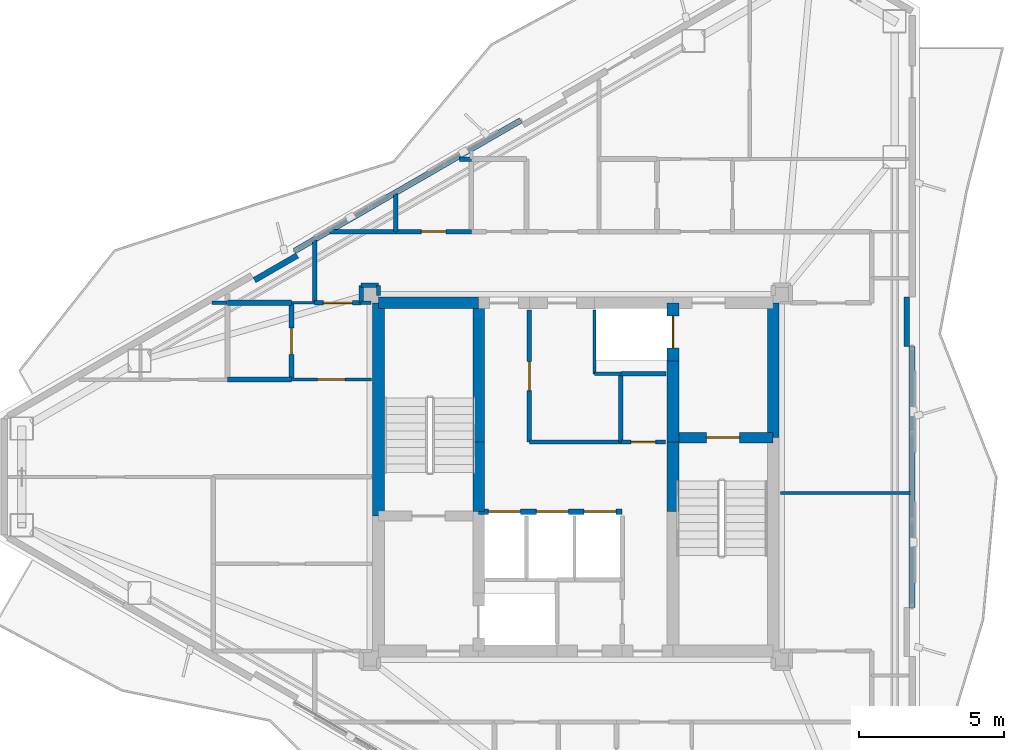
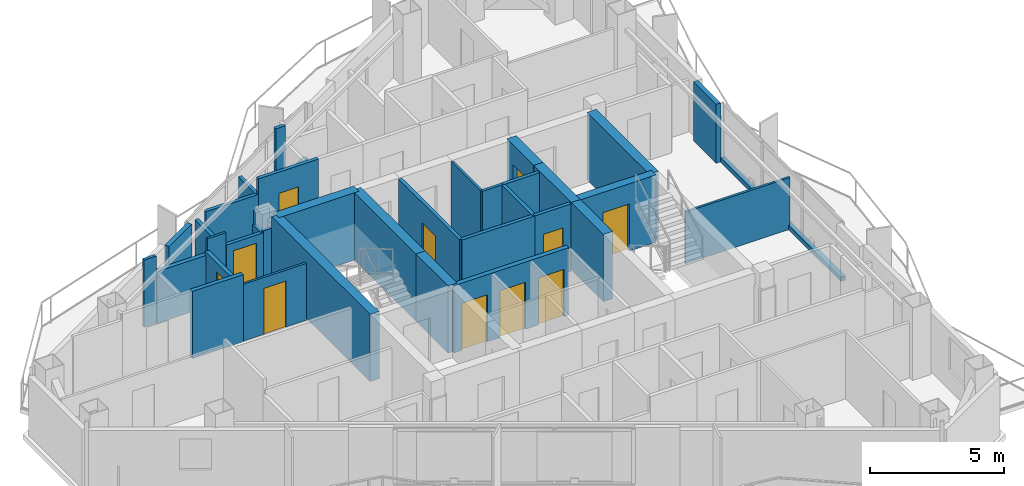
# One storey, part 18 of 22: 38 walls, 11 doors, 11 openings.
"""IFC4 building model written with IfcOpenShell, lengths in metres."""

from ifc_helpers import new_model, si_unit, direction, frame, frame_2d, origin, place, context, subcontext, project, spatial, rectangle, extrude, material, layer, layer_set, type_object, element, fill, save


model = new_model("IFC4")

# Units and contexts
model_context = context("Model", 3, precision=1e-05, world=origin(), true_north=direction((0.0, 1.0)))
body_context = subcontext(model_context, "Body", "Model", "MODEL_VIEW")
ifc_project = project(units=[si_unit("LENGTHUNIT", "METRE"), si_unit("AREAUNIT", "SQUARE_METRE"), si_unit("VOLUMEUNIT", "CUBIC_METRE"), si_unit("PLANEANGLEUNIT", "RADIAN"), si_unit("MASSUNIT", "GRAM", prefix="KILO")], contexts=[model_context])

# Site, building, storey
site_placement = place(None, origin())
site = spatial("IfcSite", under=ifc_project, at=site_placement, CompositionType="ELEMENT")
building_placement = place(site_placement, origin())
building = spatial("IfcBuilding", under=site, at=building_placement, Name="Mersakhor Tower and Convention Hall", CompositionType="ELEMENT")
storey_placement = place(building_placement, frame((0.0, 0.0, 198.60009765625)))
storey = spatial("IfcBuildingStorey", under=building, at=storey_placement, Name="L55", CompositionType="ELEMENT", Elevation=198.60009765625)

# Walls
ifc_material_1 = material(Name="Precast concrete C40/50", Category="concrete")
ifc_layer_1 = layer(ifc_material_1, 0.199951171875)
ifc_layer_set_1 = layer_set([ifc_layer_1], Name="Precast concrete C40/50")
wall_type_1 = type_object("IfcWallType", Name="WL-PAR-200", PredefinedType="PARAPET", material=ifc_layer_set_1)
wall_1_placement = place(storey_placement, frame((19.30908203125, 34.5361328125, 0.0), z_axis=(0.0, 0.0, 1.0), x_axis=(0.866020680503, 0.500008180874, 0.0)))
element("IfcWall", 1, at=wall_1_placement, inside=storey, type_object=wall_type_1, Name="L55 Curtain Wall Upstand Sill F1-B2", PredefinedType="PARAPET", context=body_context, shape_type="SweptSolid", body=[
    extrude(rectangle(XDim=8.998779296875, YDim=0.199951171875, at=frame_2d((4.49951171875, 0.0))), origin(), (0.0, 0.0, 1.0), 0.199951171875),
])
wall_2_placement = place(storey_placement, frame((17.927001953125, 33.5302734375, 0.0), z_axis=(0.0, 0.0, 1.0), x_axis=(0.86605165483, 0.499954529098, 0.0)))
element("IfcWall", 2, at=wall_2_placement, inside=storey, type_object=wall_type_1, Name="L55 Column Pier Cladding Wall F1-C1", PredefinedType="PARAPET", context=body_context, shape_type="SweptSolid", body=[
    extrude(rectangle(XDim=1.699951171875, YDim=0.199951171875, at=frame_2d((0.85009765625, 0.0))), origin(), (0.0, 0.0, 1.0), 2.68994140625),
])
wall_3_placement = place(storey_placement, frame((40.58837890625, 31.24951171875, 0.0), z_axis=(0.0, 0.0, 1.0), x_axis=(0.0, -1.0, 0.0)))
element("IfcWall", 3, at=wall_3_placement, inside=storey, type_object=wall_type_1, Name="L55 Curtain Wall Upstand Sill F2-B2", PredefinedType="PARAPET", context=body_context, shape_type="SweptSolid", body=[
    extrude(rectangle(XDim=8.9990234375, YDim=0.199951171875, at=frame_2d((4.49951171875, 0.0))), origin(), (0.0, 0.0, 1.0), 0.199951171875),
])
wall_4_placement = place(storey_placement, frame((40.408447265625, 32.949462890625, 0.0), z_axis=(0.0, 0.0, 1.0), x_axis=(0.0, -1.0, 0.0)))
element("IfcWall", 4, at=wall_4_placement, inside=storey, type_object=wall_type_1, Name="L55 Column Pier Cladding Wall F2-C1", PredefinedType="PARAPET", context=body_context, shape_type="SweptSolid", body=[
    extrude(rectangle(XDim=1.699951171875, YDim=0.199951171875, at=frame_2d((0.85009765625, 0.0))), origin(), (0.0, 0.0, 1.0), 2.68994140625),
])

# Wall, opening, door
ifc_material_2 = material(Name="Moisture-resistant acoustic drywall studwork", Category="other")
ifc_layer_2 = layer(ifc_material_2, 0.175048828125)
ifc_layer_set_2 = layer_set([ifc_layer_2], Name="Moisture-resistant acoustic drywall studwork")
wall_type_2 = type_object("IfcWallType", Name="WL-PLM-175", PredefinedType="PLUMBINGWALL", material=ifc_layer_set_2)
wall_5_placement = place(storey_placement, frame((19.199951171875, 30.10009765625, 0.0), z_axis=(0.0, 0.0, 1.0), x_axis=(0.0, 1.0, 0.0)))
wall_5 = element("IfcWall", 5, at=wall_5_placement, inside=storey, type_object=wall_type_2, Name="L55 Interior Partition Wall P-059", PredefinedType="PLUMBINGWALL", context=body_context, shape_type="SweptSolid", body=[
    extrude(rectangle(XDim=2.64990234375, YDim=0.175048828125, at=frame_2d((1.324951171875, 0.0))), origin(), (0.0, 0.0, 1.0), 2.518310546875),
])
opening_1_placement = place(wall_5_placement, frame((0.875, 0.0, 0.0)))
opening_1 = element("IfcOpeningElement", 6, at=opening_1_placement, cuts=wall_5, Name="Opening WD-01", PredefinedType="OPENING", context=body_context, shape_type="SweptSolid", body=[
    extrude(rectangle(XDim=0.89990234375, YDim=2.10009765625, at=frame_2d((0.449951171875, 1.050048828125))), frame((0.0, 0.097412109375, 0.0), z_axis=(0.0, -1.0, 0.0), x_axis=(1.0, 0.0, 0.0)), (0.0, 0.0, 1.0), 0.195068359375),
])
ifc_material_3 = material(Name="Solid-core hardwood leaf in painted steel frame", Category="steel")
door_type_1 = type_object("IfcDoorType", Name="DR-INT-WET-090x210", OperationType="NOTDEFINED", PredefinedType="DOOR", material=ifc_material_3)
door_1_placement = place(opening_1_placement, origin())
door_1 = element("IfcDoor", 7, at=door_1_placement, inside=storey, type_object=door_type_1, Name="L55 L55 Flat W4 Apartment Hall to L55 Flat W4 Bathroom Door", OperationType="SINGLE_SWING_LEFT", OverallHeight=2.10009765625, OverallWidth=0.89990234375, PredefinedType="DOOR", context=body_context, shape_type="SweptSolid", body=[
    extrude(rectangle(XDim=0.89990234375, YDim=2.10009765625, at=frame_2d((0.449951171875, 1.050048828125))), frame((0.0, 0.02490234375, 0.0), z_axis=(0.0, -1.0, 0.0), x_axis=(1.0, 0.0, 0.0)), (0.0, 0.0, 1.0), 0.050048828125),
])
fill(opening_1, door_1)

# Walls
wall_6_placement = place(storey_placement, frame((17.0, 32.75, 0.0), z_axis=(0.0, 0.0, 1.0), x_axis=(1.0, 0.0, 0.0)))
element("IfcWall", 8, at=wall_6_placement, inside=storey, type_object=wall_type_2, Name="L55 Interior Partition Wall P-076", PredefinedType="PLUMBINGWALL", context=body_context, shape_type="SweptSolid", body=[
    extrude(rectangle(XDim=2.199951171875, YDim=0.175048828125, at=frame_2d((1.10009765625, 0.0))), origin(), (0.0, 0.0, 1.0), 2.364990234375),
])
wall_7_placement = place(storey_placement, frame((19.199951171875, 30.10009765625, 0.0), z_axis=(0.0, 0.0, 1.0), x_axis=(-1.0, 0.0, 0.0)))
element("IfcWall", 9, at=wall_7_placement, inside=storey, type_object=wall_type_2, Name="L55 Interior Partition Wall P-077", PredefinedType="PLUMBINGWALL", context=body_context, shape_type="SweptSolid", body=[
    extrude(rectangle(XDim=2.199951171875, YDim=0.175048828125, at=frame_2d((1.10009765625, 0.0))), origin(), (0.0, 0.0, 1.0), 3.06982421875),
])
ifc_material_4 = material(Name="Lightweight gypsum partition", Category="other")
ifc_layer_3 = layer(ifc_material_4, 0.10009765625)
ifc_layer_set_3 = layer_set([ifc_layer_3], Name="Lightweight gypsum partition")
wall_type_3 = type_object("IfcWallType", Name="WL-PRT-100", PredefinedType="PARTITIONING", material=ifc_layer_set_3)
wall_8_placement = place(storey_placement, frame((29.64990234375, 30.300048828125, 0.0), z_axis=(0.0, 0.0, 1.0), x_axis=(0.0, 1.0, 0.0)))
element("IfcWall", 10, at=wall_8_placement, inside=storey, type_object=wall_type_3, Name="L55 Interior Partition Wall P-006", PredefinedType="PARTITIONING", context=body_context, shape_type="SweptSolid", body=[
    extrude(rectangle(XDim=2.199951171875, YDim=0.10009765625, at=frame_2d((1.10009765625, 0.0))), origin(), (0.0, 0.0, 1.0), 3.06982421875),
])
wall_9_placement = place(storey_placement, frame((19.199951171875, 32.75, 0.0), z_axis=(0.0, 0.0, 1.0), x_axis=(1.0, 0.0, 0.0)))
element("IfcWall", 11, at=wall_9_placement, inside=storey, type_object=wall_type_3, Name="L55 Interior Partition Wall P-056", PredefinedType="PARTITIONING", context=body_context, shape_type="SweptSolid", body=[
    extrude(rectangle(XDim=0.800048828125, YDim=0.10009765625, at=frame_2d((0.39990234375, 0.0))), origin(), (0.0, 0.0, 1.0), 3.06982421875),
])

# Wall, opening, door
wall_10_placement = place(storey_placement, frame((21.949951171875, 30.10009765625, 0.0), z_axis=(0.0, 0.0, 1.0), x_axis=(-1.0, 0.0, 0.0)))
wall_10 = element("IfcWall", 12, at=wall_10_placement, inside=storey, type_object=wall_type_3, Name="L55 Interior Partition Wall P-058", PredefinedType="PARTITIONING", context=body_context, shape_type="SweptSolid", body=[
    extrude(rectangle(XDim=2.75, YDim=0.10009765625, at=frame_2d((1.375, 0.0))), origin(), (0.0, 0.0, 1.0), 2.594970703125),
])
opening_2_placement = place(wall_10_placement, frame((0.89990234375, 0.0, 0.0)))
opening_2 = element("IfcOpeningElement", 13, at=opening_2_placement, cuts=wall_10, Name="Opening RD-01", PredefinedType="OPENING", context=body_context, shape_type="SweptSolid", body=[
    extrude(rectangle(XDim=0.949951171875, YDim=2.10009765625, at=frame_2d((0.47509765625, 1.050048828125))), frame((0.0, 0.06005859375, 0.0), z_axis=(0.0, -1.0, 0.0), x_axis=(1.0, 0.0, 0.0)), (0.0, 0.0, 1.0), 0.1201171875),
])
ifc_material_5 = material(Name="Solid-core hardwood leaf in painted steel frame", Category="steel")
door_type_2 = type_object("IfcDoorType", Name="DR-INT-RM-095x210", OperationType="NOTDEFINED", PredefinedType="DOOR", material=ifc_material_5)
door_2_placement = place(opening_2_placement, origin())
door_2 = element("IfcDoor", 14, at=door_2_placement, inside=storey, type_object=door_type_2, Name="L55 L55 Flat W4 Apartment Hall to L55 Flat W4 Living and Dining Room Door", OperationType="SINGLE_SWING_RIGHT", OverallHeight=2.10009765625, OverallWidth=0.949951171875, PredefinedType="DOOR", context=body_context, shape_type="SweptSolid", body=[
    extrude(rectangle(XDim=0.949951171875, YDim=2.10009765625, at=frame_2d((0.47509765625, 1.050048828125))), frame((0.0, 0.02490234375, 0.0), z_axis=(0.0, -1.0, 0.0), x_axis=(1.0, 0.0, 0.0)), (0.0, 0.0, 1.0), 0.050048828125),
])
fill(opening_2, door_2)

# Walls
wall_11_placement = place(storey_placement, frame((40.55029296875, 26.199951171875, 0.0), z_axis=(0.0, 0.0, 1.0), x_axis=(-1.0, 0.0, 0.0)))
element("IfcWall", 15, at=wall_11_placement, inside=storey, type_object=wall_type_3, Name="L55 Interior Partition Wall P-092", PredefinedType="PARTITIONING", context=body_context, shape_type="SweptSolid", body=[
    extrude(rectangle(XDim=4.500244140625, YDim=0.10009765625, at=frame_2d((2.25, 0.0))), origin(), (0.0, 0.0, 1.0), 2.364990234375),
])
ifc_material_6 = material(Name="Gypsum board acoustic partition", Category="other")
ifc_layer_4 = layer(ifc_material_6, 0.125)
ifc_layer_set_4 = layer_set([ifc_layer_4], Name="Gypsum board acoustic partition")
wall_type_4 = type_object("IfcWallType", Name="WL-PRT-125", PredefinedType="PARTITIONING", material=ifc_layer_set_4)
wall_12_placement = place(storey_placement, frame((30.550048828125, 30.300048828125, 0.0), z_axis=(0.0, 0.0, 1.0), x_axis=(-1.0, 0.0, 0.0)))
element("IfcWall", 16, at=wall_12_placement, inside=storey, type_object=wall_type_4, Name="L55 Interior Partition Wall P-005", PredefinedType="PARTITIONING", context=body_context, shape_type="SweptSolid", body=[
    extrude(rectangle(XDim=0.900146484375, YDim=0.125, at=frame_2d((0.4501953125, 0.0))), origin(), (0.0, 0.0, 1.0), 3.06982421875),
])
wall_13_placement = place(storey_placement, frame((21.60009765625, 32.75, 0.0), z_axis=(0.0, 0.0, 1.0), x_axis=(1.0, 0.0, 0.0)))
element("IfcWall", 17, at=wall_13_placement, inside=storey, type_object=wall_type_4, Name="L55 Interior Partition Wall P-057", PredefinedType="PARTITIONING", context=body_context, shape_type="SweptSolid", body=[
    extrude(rectangle(XDim=0.349853515625, YDim=0.125, at=frame_2d((0.1748046875, 0.0))), origin(), (0.0, 0.0, 1.0), 2.594970703125),
])
wall_14_placement = place(storey_placement, frame((16.463623046875, 32.75, 0.0), z_axis=(0.0, 0.0, 1.0), x_axis=(1.0, 0.0, 0.0)))
element("IfcWall", 18, at=wall_14_placement, inside=storey, type_object=wall_type_4, Name="L55 Interior Partition Wall P-081", PredefinedType="PARTITIONING", context=body_context, shape_type="SweptSolid", body=[
    extrude(rectangle(XDim=0.521484375, YDim=0.125, at=frame_2d((0.2607421875, 0.0))), origin(), (0.0, 0.0, 1.0), 3.06982421875),
])
ifc_material_7 = material(Name="Fire-rated gypsum board stud partition", Category="other")
ifc_layer_5 = layer(ifc_material_7, 0.14990234375)
ifc_layer_set_5 = layer_set([ifc_layer_5], Name="Fire-rated gypsum board stud partition")
wall_type_5 = type_object("IfcWallType", Name="WL-PRT-150", PredefinedType="PARTITIONING", material=ifc_layer_set_5)
wall_15_placement = place(storey_placement, frame((32.10009765625, 30.300048828125, 0.0), z_axis=(0.0, 0.0, 1.0), x_axis=(-1.0, 0.0, 0.0)))
element("IfcWall", 19, at=wall_15_placement, inside=storey, type_object=wall_type_5, Name="L55 Interior Partition Wall P-004", PredefinedType="PARTITIONING", context=body_context, shape_type="SweptSolid", body=[
    extrude(rectangle(XDim=1.550048828125, YDim=0.14990234375, at=frame_2d((0.77490234375, 0.0))), origin(), (0.0, 0.0, 1.0), 3.06982421875),
])

# Wall, opening, door
wall_16_placement = place(storey_placement, frame((27.39990234375, 32.5, 0.0), z_axis=(0.0, 0.0, 1.0), x_axis=(0.0, -1.0, 0.0)))
wall_16 = element("IfcWall", 20, at=wall_16_placement, inside=storey, type_object=wall_type_5, Name="L55 Interior Partition Wall P-013", PredefinedType="PARTITIONING", context=body_context, shape_type="SweptSolid", body=[
    extrude(rectangle(XDim=4.550048828125, YDim=0.14990234375, at=frame_2d((2.27490234375, 0.0))), origin(), (0.0, 0.0, 1.0), 3.06982421875),
])
opening_3_placement = place(wall_16_placement, frame((1.77490234375, 0.0, 0.0)))
opening_3 = element("IfcOpeningElement", 21, at=opening_3_placement, cuts=wall_16, Name="Opening FD-01", PredefinedType="OPENING", context=body_context, shape_type="SweptSolid", body=[
    extrude(rectangle(XDim=1.0, YDim=2.14990234375, at=frame_2d((0.5, 1.074951171875))), frame((0.0, 0.0849609375, 0.0), z_axis=(0.0, -1.0, 0.0), x_axis=(1.0, 0.0, 0.0)), (0.0, 0.0, 1.0), 0.169921875),
])
ifc_material_8 = material(Name="Fire-rated hardwood leaf and painted steel frame", Category="steel")
door_type_3 = type_object("IfcDoorType", Name="DR-INT-FLT-100x215", OperationType="NOTDEFINED", PredefinedType="DOOR", material=ifc_material_8)
door_3_placement = place(opening_3_placement, origin())
door_3 = element("IfcDoor", 22, at=door_3_placement, inside=storey, type_object=door_type_3, Name="L55 Central Passenger Lift Lobby to Quiet Core Study Room Door", OperationType="SINGLE_SWING_LEFT", OverallHeight=2.14990234375, OverallWidth=1.0, PredefinedType="DOOR", context=body_context, shape_type="SweptSolid", body=[
    extrude(rectangle(XDim=1.0, YDim=2.14990234375, at=frame_2d((0.5, 1.074951171875))), frame((0.0, 0.02490234375, 0.0), z_axis=(0.0, -1.0, 0.0), x_axis=(1.0, 0.0, 0.0)), (0.0, 0.0, 1.0), 0.050048828125),
])
fill(opening_3, door_3)

# Wall
wall_17_placement = place(storey_placement, frame((27.39990234375, 27.949951171875, 0.0), z_axis=(0.0, 0.0, 1.0), x_axis=(1.0, 0.0, 0.0)))
element("IfcWall", 23, at=wall_17_placement, inside=storey, type_object=wall_type_5, Name="L55 Interior Partition Wall P-014", PredefinedType="PARTITIONING", context=body_context, shape_type="SweptSolid", body=[
    extrude(rectangle(XDim=3.150146484375, YDim=0.14990234375, at=frame_2d((1.5751953125, 0.0))), origin(), (0.0, 0.0, 1.0), 3.06982421875),
])

# Wall, opening, door
wall_18_placement = place(storey_placement, frame((30.550048828125, 27.949951171875, 0.0), z_axis=(0.0, 0.0, 1.0), x_axis=(1.0, 0.0, 0.0)))
wall_18 = element("IfcWall", 24, at=wall_18_placement, inside=storey, type_object=wall_type_5, Name="L55 Interior Partition Wall P-015", PredefinedType="PARTITIONING", context=body_context, shape_type="SweptSolid", body=[
    extrude(rectangle(XDim=1.550048828125, YDim=0.14990234375, at=frame_2d((0.77490234375, 0.0))), origin(), (0.0, 0.0, 1.0), 3.06982421875),
])
opening_4_placement = place(wall_18_placement, frame((0.35009765625, 0.0, 0.0)))
opening_4 = element("IfcOpeningElement", 25, at=opening_4_placement, cuts=wall_18, Name="Opening SVD-01", PredefinedType="OPENING", context=body_context, shape_type="SweptSolid", body=[
    extrude(rectangle(XDim=0.85009765625, YDim=2.10009765625, at=frame_2d((0.425048828125, 1.050048828125))), frame((0.0, 0.0849609375, 0.0), z_axis=(0.0, -1.0, 0.0), x_axis=(1.0, 0.0, 0.0)), (0.0, 0.0, 1.0), 0.169921875),
])
ifc_material_9 = material(Name="Fire-rated hardwood leaf and painted steel frame", Category="steel")
door_type_4 = type_object("IfcDoorType", Name="DR-INT-SVC-085x210", OperationType="NOTDEFINED", PredefinedType="DOOR", material=ifc_material_9)
door_4_placement = place(opening_4_placement, origin())
door_4 = element("IfcDoor", 26, at=door_4_placement, inside=storey, type_object=door_type_4, Name="L55 Central Passenger Lift Lobby to Housekeeping Linen Store Room Door", OperationType="SINGLE_SWING_RIGHT", OverallHeight=2.10009765625, OverallWidth=0.85009765625, PredefinedType="DOOR", context=body_context, shape_type="SweptSolid", body=[
    extrude(rectangle(XDim=0.85009765625, YDim=2.10009765625, at=frame_2d((0.425048828125, 1.050048828125))), frame((0.0, 0.02490234375, 0.0), z_axis=(0.0, -1.0, 0.0), x_axis=(1.0, 0.0, 0.0)), (0.0, 0.0, 1.0), 0.050048828125),
])
fill(opening_4, door_4)

# Walls
wall_19_placement = place(storey_placement, frame((22.199951171875, 33.0, 0.0), z_axis=(0.0, 0.0, 1.0), x_axis=(0.0, 1.0, 0.0)))
element("IfcWall", 27, at=wall_19_placement, inside=storey, type_object=wall_type_5, Name="L55 Interior Partition Wall P-022", PredefinedType="PARTITIONING", context=body_context, shape_type="SweptSolid", body=[
    extrude(rectangle(XDim=0.35009765625, YDim=0.14990234375, at=frame_2d((0.175048828125, 0.0))), origin(), (0.0, 0.0, 1.0), 2.594970703125),
])
wall_20_placement = place(storey_placement, frame((22.199951171875, 33.35009765625, 0.0), z_axis=(0.0, 0.0, 1.0), x_axis=(-1.0, 0.0, 0.0)))
element("IfcWall", 28, at=wall_20_placement, inside=storey, type_object=wall_type_5, Name="L55 Interior Partition Wall P-023", PredefinedType="PARTITIONING", context=body_context, shape_type="SweptSolid", body=[
    extrude(rectangle(XDim=0.599853515625, YDim=0.14990234375, at=frame_2d((0.2998046875, 0.0))), origin(), (0.0, 0.0, 1.0), 3.06982421875),
])
wall_21_placement = place(storey_placement, frame((21.60009765625, 33.35009765625, 0.0), z_axis=(0.0, 0.0, 1.0), x_axis=(0.0, -1.0, 0.0)))
element("IfcWall", 29, at=wall_21_placement, inside=storey, type_object=wall_type_5, Name="L55 Interior Partition Wall P-024", PredefinedType="PARTITIONING", context=body_context, shape_type="SweptSolid", body=[
    extrude(rectangle(XDim=0.60009765625, YDim=0.14990234375, at=frame_2d((0.300048828125, 0.0))), origin(), (0.0, 0.0, 1.0), 2.518310546875),
])

# Wall, opening, door
wall_22_placement = place(storey_placement, frame((21.60009765625, 32.75, 0.0), z_axis=(0.0, 0.0, 1.0), x_axis=(-1.0, 0.0, 0.0)))
wall_22 = element("IfcWall", 30, at=wall_22_placement, inside=storey, type_object=wall_type_5, Name="L55 Interior Partition Wall P-025", PredefinedType="PARTITIONING", context=body_context, shape_type="SweptSolid", body=[
    extrude(rectangle(XDim=1.60009765625, YDim=0.14990234375, at=frame_2d((0.800048828125, 0.0))), origin(), (0.0, 0.0, 1.0), 2.518310546875),
])
opening_5_placement = place(wall_22_placement, frame((0.300048828125, 0.0, 0.0)))
opening_5 = element("IfcOpeningElement", 31, at=opening_5_placement, cuts=wall_22, Name="Opening FD-01", PredefinedType="OPENING", context=body_context, shape_type="SweptSolid", body=[
    extrude(rectangle(XDim=1.0, YDim=2.14990234375, at=frame_2d((0.5, 1.074951171875))), frame((0.0, 0.0849609375, 0.0), z_axis=(0.0, -1.0, 0.0), x_axis=(1.0, 0.0, 0.0)), (0.0, 0.0, 1.0), 0.169921875),
])
door_5_placement = place(opening_5_placement, origin())
door_5 = element("IfcDoor", 32, at=door_5_placement, inside=storey, type_object=door_type_3, Name="L55 Apartment Entrance Door (Residential North Gallery Corridor to L55 Flat W4 Apartment Hall)", OperationType="SINGLE_SWING_LEFT", OverallHeight=2.14990234375, OverallWidth=1.0, PredefinedType="DOOR", context=body_context, shape_type="SweptSolid", body=[
    extrude(rectangle(XDim=1.0, YDim=2.14990234375, at=frame_2d((0.5, 1.074951171875))), frame((0.0, 0.02490234375, 0.0), z_axis=(0.0, -1.0, 0.0), x_axis=(1.0, 0.0, 0.0)), (0.0, 0.0, 1.0), 0.050048828125),
])
fill(opening_5, door_5)

# Walls
wall_23_placement = place(storey_placement, frame((20.0, 32.75, 0.0), z_axis=(0.0, 0.0, 1.0), x_axis=(0.0, 1.0, 0.0)))
element("IfcWall", 33, at=wall_23_placement, inside=storey, type_object=wall_type_5, Name="L55 Interior Partition Wall P-026", PredefinedType="PARTITIONING", context=body_context, shape_type="SweptSolid", body=[
    extrude(rectangle(XDim=2.14111328125, YDim=0.14990234375, at=frame_2d((1.070556640625, 0.0))), origin(), (0.0, 0.0, 1.0), 2.364990234375),
])
wall_24_placement = place(storey_placement, frame((20.5283203125, 35.199951171875, 0.0), z_axis=(0.0, 0.0, 1.0), x_axis=(1.0, 0.0, 0.0)))
element("IfcWall", 34, at=wall_24_placement, inside=storey, type_object=wall_type_5, Name="L55 Interior Partition Wall P-027", PredefinedType="PARTITIONING", context=body_context, shape_type="SweptSolid", body=[
    extrude(rectangle(XDim=2.271728515625, YDim=0.14990234375, at=frame_2d((1.1357421875, 0.0))), origin(), (0.0, 0.0, 1.0), 2.364990234375),
])

# Wall, opening, door
wall_25_placement = place(storey_placement, frame((22.800048828125, 35.199951171875, 0.0), z_axis=(0.0, 0.0, 1.0), x_axis=(1.0, 0.0, 0.0)))
wall_25 = element("IfcWall", 35, at=wall_25_placement, inside=storey, type_object=wall_type_5, Name="L55 Interior Partition Wall P-028", PredefinedType="PARTITIONING", context=body_context, shape_type="SweptSolid", body=[
    extrude(rectangle(XDim=2.599853515625, YDim=0.14990234375, at=frame_2d((1.2998046875, 0.0))), origin(), (0.0, 0.0, 1.0), 3.06982421875),
])
opening_6_placement = place(wall_25_placement, frame((0.875, 0.0, 0.0)))
opening_6 = element("IfcOpeningElement", 36, at=opening_6_placement, cuts=wall_25, Name="Opening SVD-01", PredefinedType="OPENING", context=body_context, shape_type="SweptSolid", body=[
    extrude(rectangle(XDim=0.85009765625, YDim=2.10009765625, at=frame_2d((0.425048828125, 1.050048828125))), frame((0.0, 0.0849609375, 0.0), z_axis=(0.0, -1.0, 0.0), x_axis=(1.0, 0.0, 0.0)), (0.0, 0.0, 1.0), 0.169921875),
])
door_6_placement = place(opening_6_placement, origin())
door_6 = element("IfcDoor", 37, at=door_6_placement, inside=storey, type_object=door_type_4, Name="L55 Residential North Gallery Corridor to L55 Floor Household Store Room 1-1 Door", OperationType="SINGLE_SWING_LEFT", OverallHeight=2.10009765625, OverallWidth=0.85009765625, PredefinedType="DOOR", context=body_context, shape_type="SweptSolid", body=[
    extrude(rectangle(XDim=0.85009765625, YDim=2.10009765625, at=frame_2d((0.425048828125, 1.050048828125))), frame((0.0, 0.02490234375, 0.0), z_axis=(0.0, -1.0, 0.0), x_axis=(1.0, 0.0, 0.0)), (0.0, 0.0, 1.0), 0.050048828125),
])
fill(opening_6, door_6)

# Walls
wall_26_placement = place(storey_placement, frame((30.550048828125, 30.300048828125, 0.0), z_axis=(0.0, 0.0, 1.0), x_axis=(0.0, -1.0, 0.0)))
element("IfcWall", 38, at=wall_26_placement, inside=storey, type_object=wall_type_5, Name="L55 Interior Partition Wall P-082", PredefinedType="PARTITIONING", context=body_context, shape_type="SweptSolid", body=[
    extrude(rectangle(XDim=2.35009765625, YDim=0.14990234375, at=frame_2d((1.175048828125, 0.0))), origin(), (0.0, 0.0, 1.0), 3.06982421875),
])
wall_27_placement = place(storey_placement, frame((24.9931640625, 37.699951171875, 0.0), z_axis=(0.0, 0.0, 1.0), x_axis=(1.0, 0.0, 0.0)))
element("IfcWall", 39, at=wall_27_placement, inside=storey, type_object=wall_type_5, Name="L55 Interior Partition Wall P-095", PredefinedType="PARTITIONING", context=body_context, shape_type="SweptSolid", body=[
    extrude(rectangle(XDim=0.40673828125, YDim=0.14990234375, at=frame_2d((0.203369140625, 0.0))), origin(), (0.0, 0.0, 1.0), 3.06982421875),
])
wall_28_placement = place(storey_placement, frame((22.800048828125, 35.199951171875, 0.0), z_axis=(0.0, 0.0, 1.0), x_axis=(0.0, 1.0, 0.0)))
element("IfcWall", 40, at=wall_28_placement, inside=storey, type_object=wall_type_5, Name="L55 Interior Partition Wall P-096", PredefinedType="PARTITIONING", context=body_context, shape_type="SweptSolid", body=[
    extrude(rectangle(XDim=1.307861328125, YDim=0.14990234375, at=frame_2d((0.65380859375, 0.0))), origin(), (0.0, 0.0, 1.0), 2.364990234375),
])

# Wall, openings, doors
ifc_material_10 = material(Name="Acoustic concrete blockwork and gypsum board", Category="masonry")
ifc_layer_6 = layer(ifc_material_10, 0.199951171875)
ifc_layer_set_6 = layer_set([ifc_layer_6], Name="Acoustic concrete blockwork and gypsum board")
wall_type_6 = type_object("IfcWallType", Name="WL-PRT-200", PredefinedType="PARTITIONING", material=ifc_layer_set_6)
wall_29_placement = place(storey_placement, frame((25.64990234375, 25.550048828125, 0.0), z_axis=(0.0, 0.0, 1.0), x_axis=(1.0, 0.0, 0.0)))
wall_29 = element("IfcWall", 41, at=wall_29_placement, inside=storey, type_object=wall_type_6, Name="L55 High-Rise Lift Bank Front Wall", PredefinedType="PARTITIONING", context=body_context, shape_type="SweptSolid", body=[
    extrude(rectangle(XDim=4.9501953125, YDim=0.199951171875, at=frame_2d((2.47509765625, 0.0))), origin(), (0.0, 0.0, 1.0), 3.06982421875),
])
opening_7_placement = place(wall_29_placement, frame((0.340087890625, 0.0, 0.0)))
opening_7 = element("IfcOpeningElement", 42, at=opening_7_placement, cuts=wall_29, Name="Opening LD-P4", PredefinedType="OPENING", context=body_context, shape_type="SweptSolid", body=[
    extrude(rectangle(XDim=1.10009765625, YDim=2.14990234375, at=frame_2d((0.550048828125, 1.074951171875))), frame((0.0, 0.10986328125, 0.0), z_axis=(0.0, -1.0, 0.0), x_axis=(1.0, 0.0, 0.0)), (0.0, 0.0, 1.0), 0.219970703125),
])
opening_8_placement = place(wall_29_placement, frame((1.989990234375, 0.0, 0.0)))
opening_8 = element("IfcOpeningElement", 43, at=opening_8_placement, cuts=wall_29, Name="Opening LD-P5", PredefinedType="OPENING", context=body_context, shape_type="SweptSolid", body=[
    extrude(rectangle(XDim=1.10009765625, YDim=2.14990234375, at=frame_2d((0.550048828125, 1.074951171875))), frame((0.0, 0.10986328125, 0.0), z_axis=(0.0, -1.0, 0.0), x_axis=(1.0, 0.0, 0.0)), (0.0, 0.0, 1.0), 0.219970703125),
])
opening_9_placement = place(wall_29_placement, frame((3.639892578125, 0.0, 0.0)))
opening_9 = element("IfcOpeningElement", 44, at=opening_9_placement, cuts=wall_29, Name="Opening LD-P6", PredefinedType="OPENING", context=body_context, shape_type="SweptSolid", body=[
    extrude(rectangle(XDim=1.10009765625, YDim=2.14990234375, at=frame_2d((0.550048828125, 1.074951171875))), frame((0.0, 0.10986328125, 0.0), z_axis=(0.0, -1.0, 0.0), x_axis=(1.0, 0.0, 0.0)), (0.0, 0.0, 1.0), 0.219970703125),
])
ifc_material_11 = material(Name="Fire-rated brushed stainless steel sliding landing door", Category="steel")
door_type_5 = type_object("IfcDoorType", Name="DR-LIFT-SLD-110x215", OperationType="NOTDEFINED", PredefinedType="DOOR", material=ifc_material_11)
door_7_placement = place(opening_7_placement, origin())
door_7 = element("IfcDoor", 45, at=door_7_placement, inside=storey, type_object=door_type_5, Name="L55 Lift Landing Door LD-P4", OperationType="SLIDING_TO_LEFT", OverallHeight=2.14990234375, OverallWidth=1.10009765625, PredefinedType="DOOR", context=body_context, shape_type="SweptSolid", body=[
    extrude(rectangle(XDim=1.10009765625, YDim=2.14990234375, at=frame_2d((0.550048828125, 1.074951171875))), frame((0.0, 0.02490234375, 0.0), z_axis=(0.0, -1.0, 0.0), x_axis=(1.0, 0.0, 0.0)), (0.0, 0.0, 1.0), 0.050048828125),
])
fill(opening_7, door_7)
door_8_placement = place(opening_8_placement, origin())
door_8 = element("IfcDoor", 46, at=door_8_placement, inside=storey, type_object=door_type_5, Name="L55 Lift Landing Door LD-P5", OperationType="SLIDING_TO_LEFT", OverallHeight=2.14990234375, OverallWidth=1.10009765625, PredefinedType="DOOR", context=body_context, shape_type="SweptSolid", body=[
    extrude(rectangle(XDim=1.10009765625, YDim=2.14990234375, at=frame_2d((0.550048828125, 1.074951171875))), frame((0.0, 0.02490234375, 0.0), z_axis=(0.0, -1.0, 0.0), x_axis=(1.0, 0.0, 0.0)), (0.0, 0.0, 1.0), 0.050048828125),
])
fill(opening_8, door_8)
door_9_placement = place(opening_9_placement, origin())
door_9 = element("IfcDoor", 47, at=door_9_placement, inside=storey, type_object=door_type_5, Name="L55 Lift Landing Door LD-P6", OperationType="SLIDING_TO_LEFT", OverallHeight=2.14990234375, OverallWidth=1.10009765625, PredefinedType="DOOR", context=body_context, shape_type="SweptSolid", body=[
    extrude(rectangle(XDim=1.10009765625, YDim=2.14990234375, at=frame_2d((0.550048828125, 1.074951171875))), frame((0.0, 0.02490234375, 0.0), z_axis=(0.0, -1.0, 0.0), x_axis=(1.0, 0.0, 0.0)), (0.0, 0.0, 1.0), 0.050048828125),
])
fill(opening_9, door_9)

# Wall, opening, door
ifc_material_12 = material(Name="Concrete C50/60", Category="concrete")
ifc_layer_7 = layer(ifc_material_12, 0.35009765625)
ifc_layer_set_7 = layer_set([ifc_layer_7], Name="Concrete C50/60")
wall_type_7 = type_object("IfcWallType", Name="WL-SHR-350", PredefinedType="SHEAR", material=ifc_layer_set_7)
wall_30_placement = place(storey_placement, frame((32.35009765625, 28.10009765625, 0.0), z_axis=(0.0, 0.0, 1.0), x_axis=(1.0, 0.0, 0.0)))
wall_30 = element("IfcWall", 48, at=wall_30_placement, inside=storey, type_object=wall_type_7, Name="L55 Core Wall CS-ST2-N", PredefinedType="SHEAR", context=body_context, shape_type="SweptSolid", body=[
    extrude(rectangle(XDim=3.449951171875, YDim=0.35009765625, at=frame_2d((1.72509765625, 0.0))), origin(), (0.0, 0.0, 1.0), 3.06982421875),
])
opening_10_placement = place(wall_30_placement, frame((1.14990234375, 0.0, 0.0)))
opening_10 = element("IfcOpeningElement", 49, at=opening_10_placement, cuts=wall_30, Name="Opening SD-01", PredefinedType="OPENING", context=body_context, shape_type="SweptSolid", body=[
    extrude(rectangle(XDim=1.14990234375, YDim=2.14990234375, at=frame_2d((0.574951171875, 1.074951171875))), frame((0.0, 0.18505859375, 0.0), z_axis=(0.0, -1.0, 0.0), x_axis=(1.0, 0.0, 0.0)), (0.0, 0.0, 1.0), 0.3701171875),
])
ifc_material_13 = material(Name="Fire-rated hardwood leaf and painted steel frame", Category="steel")
door_type_6 = type_object("IfcDoorType", Name="DR-INT-STAIR-115x215", OperationType="NOTDEFINED", PredefinedType="DOOR", material=ifc_material_13)
door_10_placement = place(opening_10_placement, origin())
door_10 = element("IfcDoor", 50, at=door_10_placement, inside=storey, type_object=door_type_6, Name="L55 Exit Stair ST-2 Enclosure Door", OperationType="SINGLE_SWING_RIGHT", OverallHeight=2.14990234375, OverallWidth=1.14990234375, PredefinedType="DOOR", context=body_context, shape_type="SweptSolid", body=[
    extrude(rectangle(XDim=1.14990234375, YDim=2.14990234375, at=frame_2d((0.574951171875, 1.074951171875))), frame((0.0, 0.02490234375, 0.0), z_axis=(0.0, -1.0, 0.0), x_axis=(1.0, 0.0, 0.0)), (0.0, 0.0, 1.0), 0.050048828125),
])
fill(opening_10, door_10)

# Walls
ifc_material_14 = material(Name="Concrete C60/75", Category="concrete")
ifc_layer_8 = layer(ifc_material_14, 0.39990234375)
ifc_layer_set_8 = layer_set([ifc_layer_8], Name="Concrete C60/75")
wall_type_8 = type_object("IfcWallType", Name="WL-SHR-400", PredefinedType="SHEAR", material=ifc_layer_set_8)
wall_31_placement = place(storey_placement, frame((22.199951171875, 25.39990234375, 0.0), z_axis=(0.0, 0.0, 1.0), x_axis=(0.0, 1.0, 0.0)))
element("IfcWall", 51, at=wall_31_placement, inside=storey, type_object=wall_type_8, Name="L55 Core Wall CW-W2", PredefinedType="SHEAR", context=body_context, shape_type="SweptSolid", body=[
    extrude(rectangle(XDim=7.35009765625, YDim=0.39990234375, at=frame_2d((3.675048828125, 0.0))), origin(), (0.0, 0.0, 1.0), 3.06982421875),
])
wall_32_placement = place(storey_placement, frame((22.199951171875, 32.75, 0.0), z_axis=(0.0, 0.0, 1.0), x_axis=(1.0, 0.0, 0.0)))
element("IfcWall", 52, at=wall_32_placement, inside=storey, type_object=wall_type_8, Name="L55 Core Wall CW-N1", PredefinedType="SHEAR", context=body_context, shape_type="SweptSolid", body=[
    extrude(rectangle(XDim=3.449951171875, YDim=0.39990234375, at=frame_2d((1.72509765625, 0.0))), origin(), (0.0, 0.0, 1.0), 3.06982421875),
])
wall_33_placement = place(storey_placement, frame((35.800048828125, 32.75, 0.0), z_axis=(0.0, 0.0, 1.0), x_axis=(0.0, -1.0, 0.0)))
element("IfcWall", 53, at=wall_33_placement, inside=storey, type_object=wall_type_8, Name="L55 Core Wall CW-E1", PredefinedType="SHEAR", context=body_context, shape_type="SweptSolid", body=[
    extrude(rectangle(XDim=4.64990234375, YDim=0.39990234375, at=frame_2d((2.324951171875, 0.0))), origin(), (0.0, 0.0, 1.0), 3.06982421875),
])
wall_34_placement = place(storey_placement, frame((25.64990234375, 25.550048828125, 0.0), z_axis=(0.0, 0.0, 1.0), x_axis=(0.0, 1.0, 0.0)))
element("IfcWall", 54, at=wall_34_placement, inside=storey, type_object=wall_type_8, Name="L55 Core Wall CS-W-LOB", PredefinedType="SHEAR", context=body_context, shape_type="SweptSolid", body=[
    extrude(rectangle(XDim=2.39990234375, YDim=0.39990234375, at=frame_2d((1.199951171875, 0.0))), origin(), (0.0, 0.0, 1.0), 3.06982421875),
])
wall_35_placement = place(storey_placement, frame((25.64990234375, 27.949951171875, 0.0), z_axis=(0.0, 0.0, 1.0), x_axis=(0.0, 1.0, 0.0)))
element("IfcWall", 55, at=wall_35_placement, inside=storey, type_object=wall_type_8, Name="L55 Core Wall CS-W-ST1", PredefinedType="SHEAR", context=body_context, shape_type="SweptSolid", body=[
    extrude(rectangle(XDim=4.800048828125, YDim=0.39990234375, at=frame_2d((2.39990234375, 0.0))), origin(), (0.0, 0.0, 1.0), 3.06982421875),
])
wall_36_placement = place(storey_placement, frame((32.35009765625, 25.550048828125, 0.0), z_axis=(0.0, 0.0, 1.0), x_axis=(0.0, 1.0, 0.0)))
element("IfcWall", 56, at=wall_36_placement, inside=storey, type_object=wall_type_8, Name="L55 Core Wall CS-E-LOB", PredefinedType="SHEAR", context=body_context, shape_type="SweptSolid", body=[
    extrude(rectangle(XDim=2.39990234375, YDim=0.39990234375, at=frame_2d((1.199951171875, 0.0))), origin(), (0.0, 0.0, 1.0), 3.06982421875),
])
wall_37_placement = place(storey_placement, frame((32.35009765625, 27.949951171875, 0.0), z_axis=(0.0, 0.0, 1.0), x_axis=(0.0, 1.0, 0.0)))
element("IfcWall", 57, at=wall_37_placement, inside=storey, type_object=wall_type_8, Name="L55 Core Wall CS-E-MID", PredefinedType="SHEAR", context=body_context, shape_type="SweptSolid", body=[
    extrude(rectangle(XDim=2.800048828125, YDim=0.39990234375, at=frame_2d((1.39990234375, 0.0))), origin(), (0.0, 0.0, 1.0), 3.06982421875),
])

# Wall, opening, door
wall_38_placement = place(storey_placement, frame((32.35009765625, 30.75, 0.0), z_axis=(0.0, 0.0, 1.0), x_axis=(0.0, 1.0, 0.0)))
wall_38 = element("IfcWall", 58, at=wall_38_placement, inside=storey, type_object=wall_type_8, Name="L55 Core Wall CS-E-FFL", PredefinedType="SHEAR", context=body_context, shape_type="SweptSolid", body=[
    extrude(rectangle(XDim=2.0, YDim=0.39990234375, at=frame_2d((1.0, 0.0))), origin(), (0.0, 0.0, 1.0), 3.06982421875),
])
opening_11_placement = place(wall_38_placement, frame((0.449951171875, 0.0, 0.0)))
opening_11 = element("IfcOpeningElement", 59, at=opening_11_placement, cuts=wall_38, Name="Opening LD-FFL2", PredefinedType="OPENING", context=body_context, shape_type="SweptSolid", body=[
    extrude(rectangle(XDim=1.10009765625, YDim=2.14990234375, at=frame_2d((0.550048828125, 1.074951171875))), frame((0.0, 0.2099609375, 0.0), z_axis=(0.0, -1.0, 0.0), x_axis=(1.0, 0.0, 0.0)), (0.0, 0.0, 1.0), 0.419921875),
])
door_11_placement = place(opening_11_placement, origin())
door_11 = element("IfcDoor", 60, at=door_11_placement, inside=storey, type_object=door_type_5, Name="L55 Firefighting Lift Landing Door LD-FFL2", OperationType="SLIDING_TO_LEFT", OverallHeight=2.14990234375, OverallWidth=1.10009765625, PredefinedType="DOOR", context=body_context, shape_type="SweptSolid", body=[
    extrude(rectangle(XDim=1.10009765625, YDim=2.14990234375, at=frame_2d((0.550048828125, 1.074951171875))), frame((0.0, 0.02490234375, 0.0), z_axis=(0.0, -1.0, 0.0), x_axis=(1.0, 0.0, 0.0)), (0.0, 0.0, 1.0), 0.050048828125),
])
fill(opening_11, door_11)

save(model, "model.ifc")
